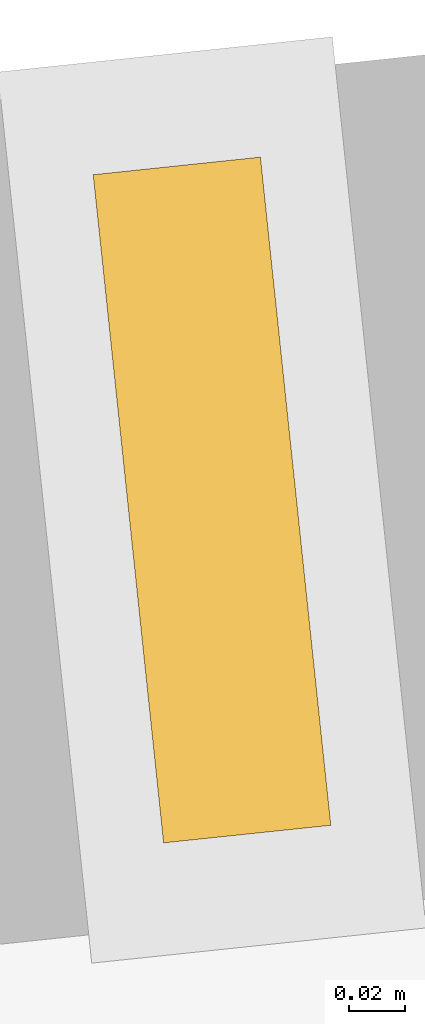
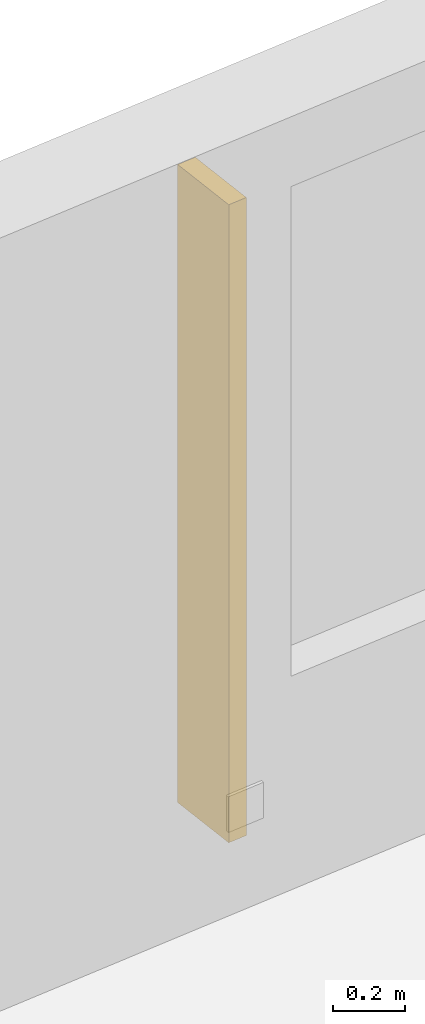
# One storey, part 14 of 14: 1 shading device.
"""IFC4 building model written with IfcOpenShell, lengths in metres."""

from ifc_helpers import new_model, si_unit, direction, frame, origin, origin_2d, place, context, subcontext, project, spatial, rectangle, extrude, material, type_object, element, save


model = new_model("IFC4")

# Units and contexts
model_context = context("Model", 3, precision=1e-05, world=origin(), true_north=direction((0.0, 1.0)))
body_context = subcontext(model_context, "Body", "Model", "MODEL_VIEW")
ifc_project = project(units=[si_unit("LENGTHUNIT", "METRE"), si_unit("AREAUNIT", "SQUARE_METRE"), si_unit("VOLUMEUNIT", "CUBIC_METRE"), si_unit("PLANEANGLEUNIT", "RADIAN"), si_unit("MASSUNIT", "GRAM", prefix="KILO")], contexts=[model_context])

# Site, building, storey
site_placement = place(None, origin())
site = spatial("IfcSite", under=ifc_project, at=site_placement, CompositionType="ELEMENT")
building_placement = place(site_placement, origin())
building = spatial("IfcBuilding", under=site, at=building_placement, Name="Kolvaren Gate Tower and Convention Centre", CompositionType="ELEMENT")
storey_placement = place(building_placement, frame((0.0, 0.0, 245.89990234375)))
storey = spatial("IfcBuildingStorey", under=building, at=storey_placement, Name="L66", CompositionType="ELEMENT", Elevation=245.89990234375)

# Shading device
ifc_material = material(Name="Kiln-Fired Bogota Terracotta Ceramic Louvre Profile", Category="masonry")
shading_device_type = type_object("IfcShadingDeviceType", Name="ARCH-SHD-FIN-180", PredefinedType="JALOUSIE", material=ifc_material)
shading_device_placement = place(storey_placement, frame((25.96044921875, 44.561279296875, 0.22021484375), z_axis=(0.0, 0.0, 1.0), x_axis=(0.994499981166, 0.104736753152, 0.0)))
element("IfcShadingDevice", 1, at=shading_device_placement, inside=storey, type_object=shading_device_type, Name="Ceramic Vertical Brise-Soleil Fin FN-L66-06", PredefinedType="JALOUSIE", context=body_context, shape_type="SweptSolid", body=[
    extrude(rectangle(XDim=0.06005859375, YDim=0.239990234375, at=origin_2d()), origin(), (0.0, 0.0, 1.0), 2.14990234375),
])

save(model, "model.ifc")
